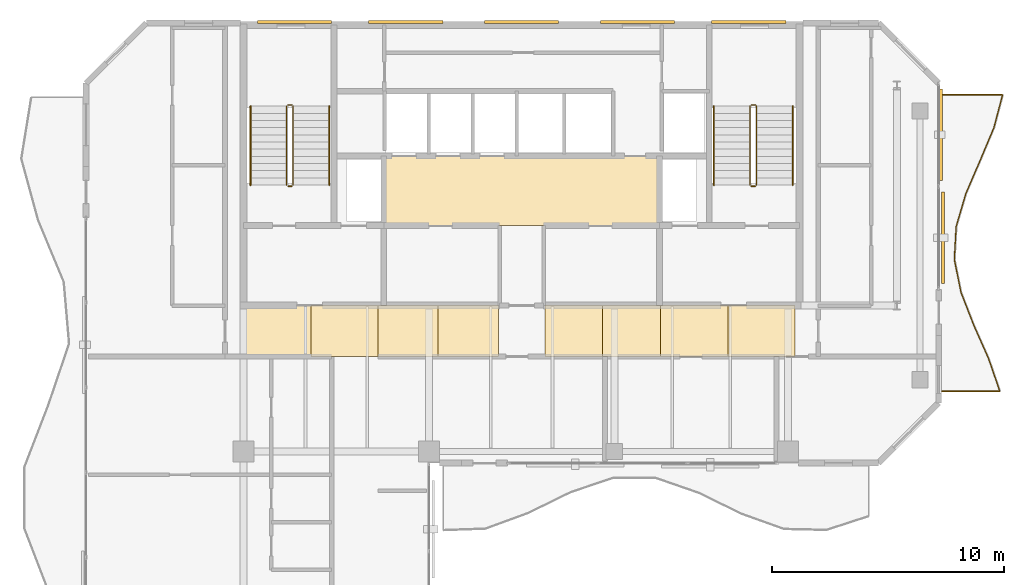
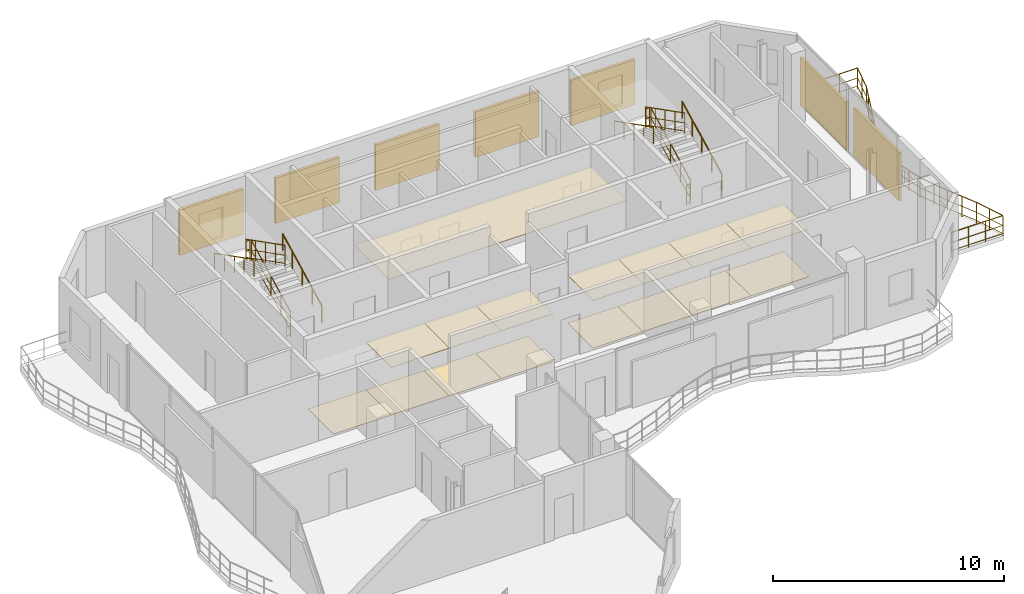
# One storey, part 17 of 17: 16 coverings, 13 railings, 7 shading devices.
"""IFC4 building model written with IfcOpenShell, lengths in metres."""

from ifc_helpers import new_model, si_unit, direction, frame, origin, origin_2d, place, context, subcontext, project, spatial, polyline, rectangle, circle, outline, extrude, material, layer, layer_set, type_object, element, save


model = new_model("IFC4")

# Units and contexts
model_context = context("Model", 3, precision=1e-05, world=origin(), true_north=direction((0.0, 1.0)))
body_context = subcontext(model_context, "Body", "Model", "MODEL_VIEW")
ifc_project = project(units=[si_unit("LENGTHUNIT", "METRE"), si_unit("AREAUNIT", "SQUARE_METRE"), si_unit("VOLUMEUNIT", "CUBIC_METRE"), si_unit("PLANEANGLEUNIT", "RADIAN"), si_unit("MASSUNIT", "GRAM", prefix="KILO")], contexts=[model_context])

# Site, building, storey
site_placement = place(None, origin())
site = spatial("IfcSite", under=ifc_project, at=site_placement, CompositionType="ELEMENT")
building_placement = place(site_placement, origin())
building = spatial("IfcBuilding", under=site, at=building_placement, Name="Catumbela Crestline Tower", CompositionType="ELEMENT")
storey_placement = place(building_placement, frame((0.0, 0.0, 283.0)))
storey = spatial("IfcBuildingStorey", under=building, at=storey_placement, Name="L73", CompositionType="ELEMENT", Elevation=283.0)

# Coverings
ifc_material_1 = material(Name="Mineral-fibre acoustic ceiling")
ifc_layer_1 = layer(ifc_material_1, 0.03, Name="Mineral-fibre acoustic ceiling")
ifc_layer_set_1 = layer_set([ifc_layer_1], Name="Mineral-fibre acoustic ceiling")
covering_type_1 = type_object("IfcCoveringType", Name="CC-AC", PredefinedType="CEILING", material=ifc_layer_set_1)
covering_1_placement = place(storey_placement, frame((0.0, 0.0, 2.65)))
element("IfcCovering", 1, at=covering_1_placement, inside=storey, type_object=covering_type_1, Name="L73 Lift Lobby Acoustic Ceiling", PredefinedType="CEILING", context=body_context, shape_type="SweptSolid", body=[
    extrude(outline(polyline([(22.05, 34.25), (33.95, 34.25), (33.95, 37.25), (22.05, 37.25), (22.05, 34.25)])), origin(), (0.0, 0.0, 1.0), 0.03),
])
covering_2_placement = place(storey_placement, frame((0.0, 0.0, 2.52)))
element("IfcCovering", 2, at=covering_2_placement, inside=storey, type_object=covering_type_1, Name="L73 Corridor Acoustic Ceiling Bay 2", PredefinedType="CEILING", context=body_context, shape_type="SweptSolid", body=[
    extrude(outline(polyline([(18.9, 28.6), (21.8, 28.6), (21.8, 30.8), (18.9, 30.8), (18.9, 28.6)])), origin(), (0.0, 0.0, 1.0), 0.03),
])
covering_3_placement = place(storey_placement, frame((0.0, 0.0, 2.52)))
element("IfcCovering", 3, at=covering_3_placement, inside=storey, type_object=covering_type_1, Name="L73 Corridor Acoustic Ceiling Bay 3", PredefinedType="CEILING", context=body_context, shape_type="SweptSolid", body=[
    extrude(outline(polyline([(21.8, 28.6), (24.4, 28.6), (24.4, 30.8), (21.8, 30.8), (21.8, 28.6)])), origin(), (0.0, 0.0, 1.0), 0.03),
])
covering_4_placement = place(storey_placement, frame((0.0, 0.0, 2.52)))
element("IfcCovering", 4, at=covering_4_placement, inside=storey, type_object=covering_type_1, Name="L73 Corridor Acoustic Ceiling Bay 4", PredefinedType="CEILING", context=body_context, shape_type="SweptSolid", body=[
    extrude(outline(polyline([(24.4, 28.6), (27.0, 28.6), (27.0, 30.8), (24.4, 30.8), (24.4, 28.6)])), origin(), (0.0, 0.0, 1.0), 0.03),
])
covering_5_placement = place(storey_placement, frame((0.0, 0.0, 2.52)))
element("IfcCovering", 5, at=covering_5_placement, inside=storey, type_object=covering_type_1, Name="L73 Corridor Acoustic Ceiling Bay 5", PredefinedType="CEILING", context=body_context, shape_type="SweptSolid", body=[
    extrude(outline(polyline([(29.0, 28.6), (31.5, 28.6), (31.5, 30.8), (29.0, 30.8), (29.0, 28.6)])), origin(), (0.0, 0.0, 1.0), 0.03),
])
covering_6_placement = place(storey_placement, frame((0.0, 0.0, 2.52)))
element("IfcCovering", 6, at=covering_6_placement, inside=storey, type_object=covering_type_1, Name="L73 Corridor Acoustic Ceiling Bay 6", PredefinedType="CEILING", context=body_context, shape_type="SweptSolid", body=[
    extrude(outline(polyline([(31.5, 28.6), (34.0, 28.6), (34.0, 30.8), (31.5, 30.8), (31.5, 28.6)])), origin(), (0.0, 0.0, 1.0), 0.03),
])
covering_7_placement = place(storey_placement, frame((0.0, 0.0, 2.52)))
element("IfcCovering", 7, at=covering_7_placement, inside=storey, type_object=covering_type_1, Name="L73 Corridor Acoustic Ceiling Bay 7", PredefinedType="CEILING", context=body_context, shape_type="SweptSolid", body=[
    extrude(outline(polyline([(34.0, 28.6), (36.9, 28.6), (36.9, 30.8), (34.0, 30.8), (34.0, 28.6)])), origin(), (0.0, 0.0, 1.0), 0.03),
])
covering_8_placement = place(storey_placement, frame((0.0, 0.0, 2.52)))
element("IfcCovering", 8, at=covering_8_placement, inside=storey, type_object=covering_type_1, Name="L73 Corridor Acoustic Ceiling Bay 8", PredefinedType="CEILING", context=body_context, shape_type="SweptSolid", body=[
    extrude(outline(polyline([(36.9, 28.6), (39.8, 28.6), (39.8, 30.8), (36.9, 30.8), (36.9, 28.6)])), origin(), (0.0, 0.0, 1.0), 0.03),
])
ifc_material_2 = material(Name="Angolan grey-ochre granite", Category="masonry")
ifc_layer_2 = layer(ifc_material_2, 0.025, Name="Angolan grey-ochre granite")
ifc_layer_set_2 = layer_set([ifc_layer_2], Name="Angolan grey-ochre granite")
covering_type_2 = type_object("IfcCoveringType", Name="CF-GR", PredefinedType="FLOORING", material=ifc_layer_set_2)
covering_9_placement = place(storey_placement, origin())
element("IfcCovering", 9, at=covering_9_placement, inside=storey, type_object=covering_type_2, Name="L73 Corridor Granite Flooring Bay 1", PredefinedType="FLOORING", context=body_context, shape_type="SweptSolid", body=[
    extrude(outline(polyline([(16.0, 28.6), (18.9, 28.6), (18.9, 30.8), (16.0, 30.8), (16.0, 28.6)])), origin(), (0.0, 0.0, 1.0), 0.025),
])
covering_10_placement = place(storey_placement, origin())
element("IfcCovering", 10, at=covering_10_placement, inside=storey, type_object=covering_type_2, Name="L73 Corridor Granite Flooring Bay 2", PredefinedType="FLOORING", context=body_context, shape_type="SweptSolid", body=[
    extrude(outline(polyline([(18.9, 28.6), (21.8, 28.6), (21.8, 30.8), (18.9, 30.8), (18.9, 28.6)])), origin(), (0.0, 0.0, 1.0), 0.025),
])
covering_11_placement = place(storey_placement, origin())
element("IfcCovering", 11, at=covering_11_placement, inside=storey, type_object=covering_type_2, Name="L73 Corridor Granite Flooring Bay 3", PredefinedType="FLOORING", context=body_context, shape_type="SweptSolid", body=[
    extrude(outline(polyline([(21.8, 28.6), (24.4, 28.6), (24.4, 30.8), (21.8, 30.8), (21.8, 28.6)])), origin(), (0.0, 0.0, 1.0), 0.025),
])
covering_12_placement = place(storey_placement, origin())
element("IfcCovering", 12, at=covering_12_placement, inside=storey, type_object=covering_type_2, Name="L73 Corridor Granite Flooring Bay 4", PredefinedType="FLOORING", context=body_context, shape_type="SweptSolid", body=[
    extrude(outline(polyline([(24.4, 28.6), (27.0, 28.6), (27.0, 30.8), (24.4, 30.8), (24.4, 28.6)])), origin(), (0.0, 0.0, 1.0), 0.025),
])
covering_13_placement = place(storey_placement, origin())
element("IfcCovering", 13, at=covering_13_placement, inside=storey, type_object=covering_type_2, Name="L73 Corridor Granite Flooring Bay 5", PredefinedType="FLOORING", context=body_context, shape_type="SweptSolid", body=[
    extrude(outline(polyline([(29.0, 28.6), (31.5, 28.6), (31.5, 30.8), (29.0, 30.8), (29.0, 28.6)])), origin(), (0.0, 0.0, 1.0), 0.025),
])
covering_14_placement = place(storey_placement, origin())
element("IfcCovering", 14, at=covering_14_placement, inside=storey, type_object=covering_type_2, Name="L73 Corridor Granite Flooring Bay 6", PredefinedType="FLOORING", context=body_context, shape_type="SweptSolid", body=[
    extrude(outline(polyline([(31.5, 28.6), (34.0, 28.6), (34.0, 30.8), (31.5, 30.8), (31.5, 28.6)])), origin(), (0.0, 0.0, 1.0), 0.025),
])
covering_15_placement = place(storey_placement, origin())
element("IfcCovering", 15, at=covering_15_placement, inside=storey, type_object=covering_type_2, Name="L73 Corridor Granite Flooring Bay 7", PredefinedType="FLOORING", context=body_context, shape_type="SweptSolid", body=[
    extrude(outline(polyline([(34.0, 28.6), (36.9, 28.6), (36.9, 30.8), (34.0, 30.8), (34.0, 28.6)])), origin(), (0.0, 0.0, 1.0), 0.025),
])
covering_16_placement = place(storey_placement, origin())
element("IfcCovering", 16, at=covering_16_placement, inside=storey, type_object=covering_type_2, Name="L73 Corridor Granite Flooring Bay 8", PredefinedType="FLOORING", context=body_context, shape_type="SweptSolid", body=[
    extrude(outline(polyline([(36.9, 28.6), (39.8, 28.6), (39.8, 30.8), (36.9, 30.8), (36.9, 28.6)])), origin(), (0.0, 0.0, 1.0), 0.025),
])

# Railings
ifc_material_3 = material(Name="Stainless steel EN 1.4401", Category="steel")
railing_type_1 = type_object("IfcRailingType", Name="RB-1100", PredefinedType="BALUSTRADE", material=ifc_material_3)
railing_1_placement = place(storey_placement, frame((46.06, 27.1, 0.0)))
element("IfcRailing", 17, at=railing_1_placement, inside=storey, type_object=railing_type_1, Name="L73 Private Wave Balcony Balustrade 2", PredefinedType="BALUSTRADE", context=body_context, shape_type="SweptSolid", body=[
    extrude(circle(Radius=0.024, at=origin_2d()), frame((0.0, 0.0, 1.076), z_axis=(1.0, 0.0, 0.0), x_axis=(0.0, 1.0, 0.0)), (0.0, 0.0, 1.0), 2.5799),
    extrude(circle(Radius=0.0156, at=origin_2d()), frame((0.0, 0.0, 0.55), z_axis=(1.0, 0.0, 0.0), x_axis=(0.0, 1.0, 0.0)), (0.0, 0.0, 1.0), 2.5799),
    extrude(circle(Radius=0.0156, at=origin_2d()), frame((0.0, 0.0, 0.12), z_axis=(1.0, 0.0, 0.0), x_axis=(0.0, 1.0, 0.0)), (0.0, 0.0, 1.0), 2.5799),
    extrude(circle(Radius=0.024, at=origin_2d()), frame((2.5799, 0.0, 1.076), z_axis=(-0.325804244404, 0.945437250339, 0.0), x_axis=(-0.945437250339, -0.325804244404, 0.0)), (0.0, 0.0, 1.0), 1.5043),
    extrude(circle(Radius=0.0156, at=origin_2d()), frame((2.5799, 0.0, 0.55), z_axis=(-0.325804244404, 0.945437250339, 0.0), x_axis=(-0.945437250339, -0.325804244404, 0.0)), (0.0, 0.0, 1.0), 1.5043),
    extrude(circle(Radius=0.0156, at=origin_2d()), frame((2.5799, 0.0, 0.12), z_axis=(-0.325804244404, 0.945437250339, 0.0), x_axis=(-0.945437250339, -0.325804244404, 0.0)), (0.0, 0.0, 1.0), 1.5043),
    extrude(circle(Radius=0.024, at=origin_2d()), frame((2.0898, 1.4222, 1.076), z_axis=(-0.405715057944, 0.913999612559, 0.0), x_axis=(-0.913999612559, -0.405715057944, 0.0)), (0.0, 0.0, 1.0), 1.556),
    extrude(circle(Radius=0.0156, at=origin_2d()), frame((2.0898, 1.4222, 0.55), z_axis=(-0.405715057944, 0.913999612559, 0.0), x_axis=(-0.913999612559, -0.405715057944, 0.0)), (0.0, 0.0, 1.0), 1.556),
    extrude(circle(Radius=0.0156, at=origin_2d()), frame((2.0898, 1.4222, 0.12), z_axis=(-0.405715057944, 0.913999612559, 0.0), x_axis=(-0.913999612559, -0.405715057944, 0.0)), (0.0, 0.0, 1.0), 1.556),
    extrude(circle(Radius=0.024, at=origin_2d()), frame((1.4585, 2.8444, 1.076), z_axis=(-0.363460685069, 0.931609537526, 0.0), x_axis=(-0.931609537526, -0.363460685069, 0.0)), (0.0, 0.0, 1.0), 1.5267),
    extrude(circle(Radius=0.0156, at=origin_2d()), frame((1.4585, 2.8444, 0.55), z_axis=(-0.363460685069, 0.931609537526, 0.0), x_axis=(-0.931609537526, -0.363460685069, 0.0)), (0.0, 0.0, 1.0), 1.5267),
    extrude(circle(Radius=0.0156, at=origin_2d()), frame((1.4585, 2.8444, 0.12), z_axis=(-0.363460685069, 0.931609537526, 0.0), x_axis=(-0.931609537526, -0.363460685069, 0.0)), (0.0, 0.0, 1.0), 1.5267),
    extrude(circle(Radius=0.024, at=origin_2d()), frame((0.9036, 4.2667, 1.076), z_axis=(-0.1981435393, 0.980173014235, 0.0), x_axis=(-0.980173014235, -0.1981435393, 0.0)), (0.0, 0.0, 1.0), 1.451),
    extrude(circle(Radius=0.0156, at=origin_2d()), frame((0.9036, 4.2667, 0.55), z_axis=(-0.1981435393, 0.980173014235, 0.0), x_axis=(-0.980173014235, -0.1981435393, 0.0)), (0.0, 0.0, 1.0), 1.451),
    extrude(circle(Radius=0.0156, at=origin_2d()), frame((0.9036, 4.2667, 0.12), z_axis=(-0.1981435393, 0.980173014235, 0.0), x_axis=(-0.980173014235, -0.1981435393, 0.0)), (0.0, 0.0, 1.0), 1.451),
    extrude(circle(Radius=0.024, at=origin_2d()), frame((0.6161, 5.6889, 1.076), z_axis=(0.055532232032, 0.998456895016, 0.0), x_axis=(-0.998456895016, 0.055532232032, 0.0)), (0.0, 0.0, 1.0), 1.4244),
    extrude(circle(Radius=0.0156, at=origin_2d()), frame((0.6161, 5.6889, 0.55), z_axis=(0.055532232032, 0.998456895016, 0.0), x_axis=(-0.998456895016, 0.055532232032, 0.0)), (0.0, 0.0, 1.0), 1.4244),
    extrude(circle(Radius=0.0156, at=origin_2d()), frame((0.6161, 5.6889, 0.12), z_axis=(0.055532232032, 0.998456895016, 0.0), x_axis=(-0.998456895016, 0.055532232032, 0.0)), (0.0, 0.0, 1.0), 1.4244),
    extrude(circle(Radius=0.024, at=origin_2d()), frame((0.6952, 7.1111, 1.076), z_axis=(0.28223205981, 0.95934616506, 0.0), x_axis=(-0.95934616506, 0.28223205981, 0.0)), (0.0, 0.0, 1.0), 1.4825),
    extrude(circle(Radius=0.0156, at=origin_2d()), frame((0.6952, 7.1111, 0.55), z_axis=(0.28223205981, 0.95934616506, 0.0), x_axis=(-0.95934616506, 0.28223205981, 0.0)), (0.0, 0.0, 1.0), 1.4825),
    extrude(circle(Radius=0.0156, at=origin_2d()), frame((0.6952, 7.1111, 0.12), z_axis=(0.28223205981, 0.95934616506, 0.0), x_axis=(-0.95934616506, 0.28223205981, 0.0)), (0.0, 0.0, 1.0), 1.4825),
    extrude(circle(Radius=0.024, at=origin_2d()), frame((1.1136, 8.5333, 1.076), z_axis=(0.396068698819, 0.918220880734, 0.0), x_axis=(-0.918220880734, 0.396068698819, 0.0)), (0.0, 0.0, 1.0), 1.549),
    extrude(circle(Radius=0.0156, at=origin_2d()), frame((1.1136, 8.5333, 0.55), z_axis=(0.396068698819, 0.918220880734, 0.0), x_axis=(-0.918220880734, 0.396068698819, 0.0)), (0.0, 0.0, 1.0), 1.549),
    extrude(circle(Radius=0.0156, at=origin_2d()), frame((1.1136, 8.5333, 0.12), z_axis=(0.396068698819, 0.918220880734, 0.0), x_axis=(-0.918220880734, 0.396068698819, 0.0)), (0.0, 0.0, 1.0), 1.549),
    extrude(circle(Radius=0.024, at=origin_2d()), frame((1.7271, 9.9556, 1.076), z_axis=(0.387219258555, 0.921987660332, 0.0), x_axis=(-0.921987660332, 0.387219258555, 0.0)), (0.0, 0.0, 1.0), 1.5425),
    extrude(circle(Radius=0.0156, at=origin_2d()), frame((1.7271, 9.9556, 0.55), z_axis=(0.387219258555, 0.921987660332, 0.0), x_axis=(-0.921987660332, 0.387219258555, 0.0)), (0.0, 0.0, 1.0), 1.5425),
    extrude(circle(Radius=0.0156, at=origin_2d()), frame((1.7271, 9.9556, 0.12), z_axis=(0.387219258555, 0.921987660332, 0.0), x_axis=(-0.921987660332, 0.387219258555, 0.0)), (0.0, 0.0, 1.0), 1.5425),
    extrude(circle(Radius=0.024, at=origin_2d()), frame((2.3244, 11.3778, 1.076), z_axis=(0.255152495672, 0.966900824259, 0.0), x_axis=(-0.966900824259, 0.255152495672, 0.0)), (0.0, 0.0, 1.0), 1.4709),
    extrude(circle(Radius=0.0156, at=origin_2d()), frame((2.3244, 11.3778, 0.55), z_axis=(0.255152495672, 0.966900824259, 0.0), x_axis=(-0.966900824259, 0.255152495672, 0.0)), (0.0, 0.0, 1.0), 1.4709),
    extrude(circle(Radius=0.0156, at=origin_2d()), frame((2.3244, 11.3778, 0.12), z_axis=(0.255152495672, 0.966900824259, 0.0), x_axis=(-0.966900824259, 0.255152495672, 0.0)), (0.0, 0.0, 1.0), 1.4709),
    extrude(circle(Radius=0.024, at=origin_2d()), frame((2.6997, 12.8, 1.076), z_axis=(-1.0, 0.0, 0.0), x_axis=(0.0, -1.0, 0.0)), (0.0, 0.0, 1.0), 2.6997),
    extrude(circle(Radius=0.0156, at=origin_2d()), frame((2.6997, 12.8, 0.55), z_axis=(-1.0, 0.0, 0.0), x_axis=(0.0, -1.0, 0.0)), (0.0, 0.0, 1.0), 2.6997),
    extrude(circle(Radius=0.0156, at=origin_2d()), frame((2.6997, 12.8, 0.12), z_axis=(-1.0, 0.0, 0.0), x_axis=(0.0, -1.0, 0.0)), (0.0, 0.0, 1.0), 2.6997),
    extrude(circle(Radius=0.021, at=origin_2d()), origin(), (0.0, 0.0, 1.0), 1.052),
    extrude(circle(Radius=0.021, at=origin_2d()), frame((0.86, 0.0, 0.0)), (0.0, 0.0, 1.0), 1.052),
    extrude(circle(Radius=0.021, at=origin_2d()), frame((1.7199, 0.0, 0.0)), (0.0, 0.0, 1.0), 1.052),
    extrude(circle(Radius=0.021, at=origin_2d()), frame((2.5799, 0.0, 0.0)), (0.0, 0.0, 1.0), 1.052),
    extrude(circle(Radius=0.021, at=origin_2d()), frame((2.3348, 0.7111, 0.0)), (0.0, 0.0, 1.0), 1.052),
    extrude(circle(Radius=0.021, at=origin_2d()), frame((2.0898, 1.4222, 0.0)), (0.0, 0.0, 1.0), 1.052),
    extrude(circle(Radius=0.021, at=origin_2d()), frame((1.7741, 2.1333, 0.0)), (0.0, 0.0, 1.0), 1.052),
    extrude(circle(Radius=0.021, at=origin_2d()), frame((1.4585, 2.8444, 0.0)), (0.0, 0.0, 1.0), 1.052),
    extrude(circle(Radius=0.021, at=origin_2d()), frame((1.181, 3.5556, 0.0)), (0.0, 0.0, 1.0), 1.052),
    extrude(circle(Radius=0.021, at=origin_2d()), frame((0.9036, 4.2667, 0.0)), (0.0, 0.0, 1.0), 1.052),
    extrude(circle(Radius=0.021, at=origin_2d()), frame((0.7598, 4.9778, 0.0)), (0.0, 0.0, 1.0), 1.052),
    extrude(circle(Radius=0.021, at=origin_2d()), frame((0.6161, 5.6889, 0.0)), (0.0, 0.0, 1.0), 1.052),
    extrude(circle(Radius=0.021, at=origin_2d()), frame((0.6556, 6.4, 0.0)), (0.0, 0.0, 1.0), 1.052),
    extrude(circle(Radius=0.021, at=origin_2d()), frame((0.6952, 7.1111, 0.0)), (0.0, 0.0, 1.0), 1.052),
    extrude(circle(Radius=0.021, at=origin_2d()), frame((0.9044, 7.8222, 0.0)), (0.0, 0.0, 1.0), 1.052),
    extrude(circle(Radius=0.021, at=origin_2d()), frame((1.1136, 8.5333, 0.0)), (0.0, 0.0, 1.0), 1.052),
    extrude(circle(Radius=0.021, at=origin_2d()), frame((1.4203, 9.2444, 0.0)), (0.0, 0.0, 1.0), 1.052),
    extrude(circle(Radius=0.021, at=origin_2d()), frame((1.7271, 9.9556, 0.0)), (0.0, 0.0, 1.0), 1.052),
    extrude(circle(Radius=0.021, at=origin_2d()), frame((2.0257, 10.6667, 0.0)), (0.0, 0.0, 1.0), 1.052),
    extrude(circle(Radius=0.021, at=origin_2d()), frame((2.3244, 11.3778, 0.0)), (0.0, 0.0, 1.0), 1.052),
    extrude(circle(Radius=0.021, at=origin_2d()), frame((2.512, 12.0889, 0.0)), (0.0, 0.0, 1.0), 1.052),
    extrude(circle(Radius=0.021, at=origin_2d()), frame((2.6997, 12.8, 0.0)), (0.0, 0.0, 1.0), 1.052),
    extrude(circle(Radius=0.021, at=origin_2d()), frame((1.7998, 12.8, 0.0)), (0.0, 0.0, 1.0), 1.052),
    extrude(circle(Radius=0.021, at=origin_2d()), frame((0.8999, 12.8, 0.0)), (0.0, 0.0, 1.0), 1.052),
    extrude(circle(Radius=0.021, at=origin_2d()), frame((0.0, 12.8, 0.0)), (0.0, 0.0, 1.0), 1.052),
])
railing_type_2 = type_object("IfcRailingType", Name="RG-1100", PredefinedType="GUARDRAIL", material=ifc_material_3)
railing_2_placement = place(storey_placement, frame((18.14, 36.0, 0.1583)))
element("IfcRailing", 18, at=railing_2_placement, inside=storey, type_object=railing_type_2, Name="L73 ST-01 stair guard 1", PredefinedType="GUARDRAIL", context=body_context, shape_type="SweptSolid", body=[
    extrude(circle(Radius=0.024, at=origin_2d()), frame((0.0, 0.0, 1.076), z_axis=(0.0, 0.890560473983, 0.454864861447), x_axis=(-1.0, 0.0, 0.0)), (0.0, 0.0, 1.0), 3.829),
    extrude(circle(Radius=0.0156, at=origin_2d()), frame((0.0, 0.0, 0.55), z_axis=(0.0, 0.890560473983, 0.454864861447), x_axis=(-1.0, 0.0, 0.0)), (0.0, 0.0, 1.0), 3.829),
    extrude(circle(Radius=0.0156, at=origin_2d()), frame((0.0, 0.0, 0.12), z_axis=(0.0, 0.890560473983, 0.454864861447), x_axis=(-1.0, 0.0, 0.0)), (0.0, 0.0, 1.0), 3.829),
    extrude(circle(Radius=0.021, at=origin_2d()), origin(), (0.0, 0.0, 1.0), 1.052),
    extrude(circle(Radius=0.021, at=origin_2d()), frame((0.0, 0.8525, 0.4354)), (0.0, 0.0, 1.0), 1.052),
    extrude(circle(Radius=0.021, at=origin_2d()), frame((0.0, 1.705, 0.8708)), (0.0, 0.0, 1.0), 1.052),
    extrude(circle(Radius=0.021, at=origin_2d()), frame((0.0, 2.5575, 1.3063)), (0.0, 0.0, 1.0), 1.052),
    extrude(circle(Radius=0.021, at=origin_2d()), frame((0.0, 3.41, 1.7417)), (0.0, 0.0, 1.0), 1.052),
])
railing_3_placement = place(storey_placement, frame((18.09, 39.46, 1.9)))
element("IfcRailing", 19, at=railing_3_placement, inside=storey, type_object=railing_type_2, Name="L73 ST-01 stair guard 2", PredefinedType="GUARDRAIL", context=body_context, shape_type="SweptSolid", body=[
    extrude(circle(Radius=0.024, at=origin_2d()), frame((0.0, 0.0, 1.076), z_axis=(-1.0, 0.0, 0.0), x_axis=(0.0, -1.0, 0.0)), (0.0, 0.0, 1.0), 0.18),
    extrude(circle(Radius=0.0156, at=origin_2d()), frame((0.0, 0.0, 0.55), z_axis=(-1.0, 0.0, 0.0), x_axis=(0.0, -1.0, 0.0)), (0.0, 0.0, 1.0), 0.18),
    extrude(circle(Radius=0.0156, at=origin_2d()), frame((0.0, 0.0, 0.12), z_axis=(-1.0, 0.0, 0.0), x_axis=(0.0, -1.0, 0.0)), (0.0, 0.0, 1.0), 0.18),
    extrude(circle(Radius=0.021, at=origin_2d()), origin(), (0.0, 0.0, 1.0), 1.052),
    extrude(circle(Radius=0.021, at=origin_2d()), frame((-0.18, 0.0, 0.0)), (0.0, 0.0, 1.0), 1.052),
])
railing_4_placement = place(storey_placement, frame((17.86, 39.41, 2.0583)))
element("IfcRailing", 20, at=railing_4_placement, inside=storey, type_object=railing_type_2, Name="L73 ST-01 stair guard 3", PredefinedType="GUARDRAIL", context=body_context, shape_type="SweptSolid", body=[
    extrude(circle(Radius=0.024, at=origin_2d()), frame((0.0, 0.0, 1.076), z_axis=(0.0, -0.890560473983, 0.454864861447), x_axis=(1.0, 0.0, 0.0)), (0.0, 0.0, 1.0), 3.829),
    extrude(circle(Radius=0.0156, at=origin_2d()), frame((0.0, 0.0, 0.55), z_axis=(0.0, -0.890560473983, 0.454864861447), x_axis=(1.0, 0.0, 0.0)), (0.0, 0.0, 1.0), 3.829),
    extrude(circle(Radius=0.0156, at=origin_2d()), frame((0.0, 0.0, 0.12), z_axis=(0.0, -0.890560473983, 0.454864861447), x_axis=(1.0, 0.0, 0.0)), (0.0, 0.0, 1.0), 3.829),
    extrude(circle(Radius=0.021, at=origin_2d()), origin(), (0.0, 0.0, 1.0), 1.052),
    extrude(circle(Radius=0.021, at=origin_2d()), frame((0.0, -0.8525, 0.4354)), (0.0, 0.0, 1.0), 1.052),
    extrude(circle(Radius=0.021, at=origin_2d()), frame((0.0, -1.705, 0.8709)), (0.0, 0.0, 1.0), 1.052),
    extrude(circle(Radius=0.021, at=origin_2d()), frame((0.0, -2.5575, 1.3063)), (0.0, 0.0, 1.0), 1.052),
    extrude(circle(Radius=0.021, at=origin_2d()), frame((0.0, -3.41, 1.7417)), (0.0, 0.0, 1.0), 1.052),
])
railing_5_placement = place(storey_placement, frame((18.09, 35.95, 0.0)))
element("IfcRailing", 21, at=railing_5_placement, inside=storey, type_object=railing_type_2, Name="L73 ST-01 stair guard 4", PredefinedType="GUARDRAIL", context=body_context, shape_type="SweptSolid", body=[
    extrude(circle(Radius=0.024, at=origin_2d()), frame((0.0, 0.0, 1.076), z_axis=(-1.0, 0.0, 0.0), x_axis=(0.0, -1.0, 0.0)), (0.0, 0.0, 1.0), 0.18),
    extrude(circle(Radius=0.0156, at=origin_2d()), frame((0.0, 0.0, 0.55), z_axis=(-1.0, 0.0, 0.0), x_axis=(0.0, -1.0, 0.0)), (0.0, 0.0, 1.0), 0.18),
    extrude(circle(Radius=0.0156, at=origin_2d()), frame((0.0, 0.0, 0.12), z_axis=(-1.0, 0.0, 0.0), x_axis=(0.0, -1.0, 0.0)), (0.0, 0.0, 1.0), 0.18),
    extrude(circle(Radius=0.021, at=origin_2d()), origin(), (0.0, 0.0, 1.0), 1.052),
    extrude(circle(Radius=0.021, at=origin_2d()), frame((-0.18, 0.0, 0.0)), (0.0, 0.0, 1.0), 1.052),
])
railing_6_placement = place(storey_placement, frame((38.14, 36.0, 0.1583)))
element("IfcRailing", 22, at=railing_6_placement, inside=storey, type_object=railing_type_2, Name="L73 ST-02 stair guard 1", PredefinedType="GUARDRAIL", context=body_context, shape_type="SweptSolid", body=[
    extrude(circle(Radius=0.024, at=origin_2d()), frame((0.0, 0.0, 1.076), z_axis=(0.0, 0.890560473983, 0.454864861447), x_axis=(-1.0, 0.0, 0.0)), (0.0, 0.0, 1.0), 3.829),
    extrude(circle(Radius=0.0156, at=origin_2d()), frame((0.0, 0.0, 0.55), z_axis=(0.0, 0.890560473983, 0.454864861447), x_axis=(-1.0, 0.0, 0.0)), (0.0, 0.0, 1.0), 3.829),
    extrude(circle(Radius=0.0156, at=origin_2d()), frame((0.0, 0.0, 0.12), z_axis=(0.0, 0.890560473983, 0.454864861447), x_axis=(-1.0, 0.0, 0.0)), (0.0, 0.0, 1.0), 3.829),
    extrude(circle(Radius=0.021, at=origin_2d()), origin(), (0.0, 0.0, 1.0), 1.052),
    extrude(circle(Radius=0.021, at=origin_2d()), frame((0.0, 0.8525, 0.4354)), (0.0, 0.0, 1.0), 1.052),
    extrude(circle(Radius=0.021, at=origin_2d()), frame((0.0, 1.705, 0.8708)), (0.0, 0.0, 1.0), 1.052),
    extrude(circle(Radius=0.021, at=origin_2d()), frame((0.0, 2.5575, 1.3063)), (0.0, 0.0, 1.0), 1.052),
    extrude(circle(Radius=0.021, at=origin_2d()), frame((0.0, 3.41, 1.7417)), (0.0, 0.0, 1.0), 1.052),
])
railing_7_placement = place(storey_placement, frame((38.09, 39.46, 1.9)))
element("IfcRailing", 23, at=railing_7_placement, inside=storey, type_object=railing_type_2, Name="L73 ST-02 stair guard 2", PredefinedType="GUARDRAIL", context=body_context, shape_type="SweptSolid", body=[
    extrude(circle(Radius=0.024, at=origin_2d()), frame((0.0, 0.0, 1.076), z_axis=(-1.0, 0.0, 0.0), x_axis=(0.0, -1.0, 0.0)), (0.0, 0.0, 1.0), 0.18),
    extrude(circle(Radius=0.0156, at=origin_2d()), frame((0.0, 0.0, 0.55), z_axis=(-1.0, 0.0, 0.0), x_axis=(0.0, -1.0, 0.0)), (0.0, 0.0, 1.0), 0.18),
    extrude(circle(Radius=0.0156, at=origin_2d()), frame((0.0, 0.0, 0.12), z_axis=(-1.0, 0.0, 0.0), x_axis=(0.0, -1.0, 0.0)), (0.0, 0.0, 1.0), 0.18),
    extrude(circle(Radius=0.021, at=origin_2d()), origin(), (0.0, 0.0, 1.0), 1.052),
    extrude(circle(Radius=0.021, at=origin_2d()), frame((-0.18, 0.0, 0.0)), (0.0, 0.0, 1.0), 1.052),
])
railing_8_placement = place(storey_placement, frame((37.86, 39.41, 2.0583)))
element("IfcRailing", 24, at=railing_8_placement, inside=storey, type_object=railing_type_2, Name="L73 ST-02 stair guard 3", PredefinedType="GUARDRAIL", context=body_context, shape_type="SweptSolid", body=[
    extrude(circle(Radius=0.024, at=origin_2d()), frame((0.0, 0.0, 1.076), z_axis=(0.0, -0.890560473983, 0.454864861447), x_axis=(1.0, 0.0, 0.0)), (0.0, 0.0, 1.0), 3.829),
    extrude(circle(Radius=0.0156, at=origin_2d()), frame((0.0, 0.0, 0.55), z_axis=(0.0, -0.890560473983, 0.454864861447), x_axis=(1.0, 0.0, 0.0)), (0.0, 0.0, 1.0), 3.829),
    extrude(circle(Radius=0.0156, at=origin_2d()), frame((0.0, 0.0, 0.12), z_axis=(0.0, -0.890560473983, 0.454864861447), x_axis=(1.0, 0.0, 0.0)), (0.0, 0.0, 1.0), 3.829),
    extrude(circle(Radius=0.021, at=origin_2d()), origin(), (0.0, 0.0, 1.0), 1.052),
    extrude(circle(Radius=0.021, at=origin_2d()), frame((0.0, -0.8525, 0.4354)), (0.0, 0.0, 1.0), 1.052),
    extrude(circle(Radius=0.021, at=origin_2d()), frame((0.0, -1.705, 0.8709)), (0.0, 0.0, 1.0), 1.052),
    extrude(circle(Radius=0.021, at=origin_2d()), frame((0.0, -2.5575, 1.3063)), (0.0, 0.0, 1.0), 1.052),
    extrude(circle(Radius=0.021, at=origin_2d()), frame((0.0, -3.41, 1.7417)), (0.0, 0.0, 1.0), 1.052),
])
railing_9_placement = place(storey_placement, frame((38.09, 35.95, 0.0)))
element("IfcRailing", 25, at=railing_9_placement, inside=storey, type_object=railing_type_2, Name="L73 ST-02 stair guard 4", PredefinedType="GUARDRAIL", context=body_context, shape_type="SweptSolid", body=[
    extrude(circle(Radius=0.024, at=origin_2d()), frame((0.0, 0.0, 1.076), z_axis=(-1.0, 0.0, 0.0), x_axis=(0.0, -1.0, 0.0)), (0.0, 0.0, 1.0), 0.18),
    extrude(circle(Radius=0.0156, at=origin_2d()), frame((0.0, 0.0, 0.55), z_axis=(-1.0, 0.0, 0.0), x_axis=(0.0, -1.0, 0.0)), (0.0, 0.0, 1.0), 0.18),
    extrude(circle(Radius=0.0156, at=origin_2d()), frame((0.0, 0.0, 0.12), z_axis=(-1.0, 0.0, 0.0), x_axis=(0.0, -1.0, 0.0)), (0.0, 0.0, 1.0), 0.18),
    extrude(circle(Radius=0.021, at=origin_2d()), origin(), (0.0, 0.0, 1.0), 1.052),
    extrude(circle(Radius=0.021, at=origin_2d()), frame((-0.18, 0.0, 0.0)), (0.0, 0.0, 1.0), 1.052),
])
railing_type_3 = type_object("IfcRailingType", Name="RH-0900", PredefinedType="HANDRAIL", material=ifc_material_3)
railing_10_placement = place(storey_placement, frame((19.7, 36.0, 0.1583)))
element("IfcRailing", 26, at=railing_10_placement, inside=storey, type_object=railing_type_3, Name="L73 ST-01 stair handrail 1", PredefinedType="HANDRAIL", context=body_context, shape_type="SweptSolid", body=[
    extrude(circle(Radius=0.024, at=origin_2d()), frame((0.0, 0.0, 0.876), z_axis=(0.0, 0.890560473983, 0.454864861447), x_axis=(-1.0, 0.0, 0.0)), (0.0, 0.0, 1.0), 3.829),
    extrude(circle(Radius=0.021, at=origin_2d()), origin(), (0.0, 0.0, 1.0), 0.852),
    extrude(circle(Radius=0.021, at=origin_2d()), frame((0.0, 0.8525, 0.4354)), (0.0, 0.0, 1.0), 0.852),
    extrude(circle(Radius=0.021, at=origin_2d()), frame((0.0, 1.705, 0.8708)), (0.0, 0.0, 1.0), 0.852),
    extrude(circle(Radius=0.021, at=origin_2d()), frame((0.0, 2.5575, 1.3063)), (0.0, 0.0, 1.0), 0.852),
    extrude(circle(Radius=0.021, at=origin_2d()), frame((0.0, 3.41, 1.7417)), (0.0, 0.0, 1.0), 0.852),
])
railing_11_placement = place(storey_placement, frame((16.3, 39.41, 2.0583)))
element("IfcRailing", 27, at=railing_11_placement, inside=storey, type_object=railing_type_3, Name="L73 ST-01 stair handrail 2", PredefinedType="HANDRAIL", context=body_context, shape_type="SweptSolid", body=[
    extrude(circle(Radius=0.024, at=origin_2d()), frame((0.0, 0.0, 0.876), z_axis=(0.0, -0.890560473983, 0.454864861447), x_axis=(1.0, 0.0, 0.0)), (0.0, 0.0, 1.0), 3.829),
    extrude(circle(Radius=0.021, at=origin_2d()), origin(), (0.0, 0.0, 1.0), 0.852),
    extrude(circle(Radius=0.021, at=origin_2d()), frame((0.0, -0.8525, 0.4354)), (0.0, 0.0, 1.0), 0.852),
    extrude(circle(Radius=0.021, at=origin_2d()), frame((0.0, -1.705, 0.8709)), (0.0, 0.0, 1.0), 0.852),
    extrude(circle(Radius=0.021, at=origin_2d()), frame((0.0, -2.5575, 1.3063)), (0.0, 0.0, 1.0), 0.852),
    extrude(circle(Radius=0.021, at=origin_2d()), frame((0.0, -3.41, 1.7417)), (0.0, 0.0, 1.0), 0.852),
])
railing_12_placement = place(storey_placement, frame((39.7, 36.0, 0.1583)))
element("IfcRailing", 28, at=railing_12_placement, inside=storey, type_object=railing_type_3, Name="L73 ST-02 stair handrail 1", PredefinedType="HANDRAIL", context=body_context, shape_type="SweptSolid", body=[
    extrude(circle(Radius=0.024, at=origin_2d()), frame((0.0, 0.0, 0.876), z_axis=(0.0, 0.890560473983, 0.454864861447), x_axis=(-1.0, 0.0, 0.0)), (0.0, 0.0, 1.0), 3.829),
    extrude(circle(Radius=0.021, at=origin_2d()), origin(), (0.0, 0.0, 1.0), 0.852),
    extrude(circle(Radius=0.021, at=origin_2d()), frame((0.0, 0.8525, 0.4354)), (0.0, 0.0, 1.0), 0.852),
    extrude(circle(Radius=0.021, at=origin_2d()), frame((0.0, 1.705, 0.8708)), (0.0, 0.0, 1.0), 0.852),
    extrude(circle(Radius=0.021, at=origin_2d()), frame((0.0, 2.5575, 1.3063)), (0.0, 0.0, 1.0), 0.852),
    extrude(circle(Radius=0.021, at=origin_2d()), frame((0.0, 3.41, 1.7417)), (0.0, 0.0, 1.0), 0.852),
])
railing_13_placement = place(storey_placement, frame((36.3, 39.41, 2.0583)))
element("IfcRailing", 29, at=railing_13_placement, inside=storey, type_object=railing_type_3, Name="L73 ST-02 stair handrail 2", PredefinedType="HANDRAIL", context=body_context, shape_type="SweptSolid", body=[
    extrude(circle(Radius=0.024, at=origin_2d()), frame((0.0, 0.0, 0.876), z_axis=(0.0, -0.890560473983, 0.454864861447), x_axis=(1.0, 0.0, 0.0)), (0.0, 0.0, 1.0), 3.829),
    extrude(circle(Radius=0.021, at=origin_2d()), origin(), (0.0, 0.0, 1.0), 0.852),
    extrude(circle(Radius=0.021, at=origin_2d()), frame((0.0, -0.8525, 0.4354)), (0.0, 0.0, 1.0), 0.852),
    extrude(circle(Radius=0.021, at=origin_2d()), frame((0.0, -1.705, 0.8709)), (0.0, 0.0, 1.0), 0.852),
    extrude(circle(Radius=0.021, at=origin_2d()), frame((0.0, -2.5575, 1.3063)), (0.0, 0.0, 1.0), 0.852),
    extrude(circle(Radius=0.021, at=origin_2d()), frame((0.0, -3.41, 1.7417)), (0.0, 0.0, 1.0), 0.852),
])

# Shading devices
ifc_material_4 = material(Name="Extruded terracotta ceramic", Category="masonry")
shading_device_type_1 = type_object("IfcShadingDeviceType", Name="ST-180", PredefinedType="USERDEFINED", material=ifc_material_4)
for number, where, z_axis, x_axis, name in (
    (30, (28.0, 43.04, 0.55), (0.0, 0.0, 1.0), (1.0, 0.0, 0.0), "L73 Rear Core Terracotta Brise-Soleil Screen 898"),
    (31, (37.8, 43.04, 0.55), (0.0, 0.0, 1.0), (1.0, 0.0, 0.0), "L73 Rear Core Terracotta Brise-Soleil Screen 900"),
):
    element("IfcShadingDevice", number, at=place(storey_placement, frame(where, z_axis=z_axis, x_axis=x_axis)), inside=storey, type_object=shading_device_type_1, Name=name, ObjectType="SCREEN", PredefinedType="USERDEFINED", context=body_context, shape_type="SweptSolid", body=[
        extrude(rectangle(XDim=3.2, YDim=0.14, at=origin_2d()), origin(), (0.0, 0.0, 1.0), 2.4),
    ])
shading_device_1_placement = place(storey_placement, frame((46.099, 38.175, -0.1), z_axis=(0.0, 0.0, 1.0), x_axis=(0.0, 1.0, 0.0)))
element("IfcShadingDevice", 32, at=shading_device_1_placement, inside=storey, type_object=shading_device_type_1, Name="L73 Perforated Terracotta Solar Screen 907 (180 mm)", ObjectType="SCREEN", PredefinedType="USERDEFINED", context=body_context, shape_type="SweptSolid", body=[
    extrude(rectangle(XDim=3.96, YDim=0.12, at=origin_2d()), origin(), (0.0, 0.0, 1.0), 2.55),
])
shading_device_type_2 = type_object("IfcShadingDeviceType", Name="ST-260", PredefinedType="USERDEFINED", material=ifc_material_4)
shading_device_2_placement = place(storey_placement, frame((23.0, 43.04, 0.55), z_axis=(0.0, 0.0, 1.0), x_axis=(1.0, 0.0, 0.0)))
element("IfcShadingDevice", 33, at=shading_device_2_placement, inside=storey, type_object=shading_device_type_2, Name="L73 Rear Core Terracotta Brise-Soleil Screen 897", ObjectType="SCREEN", PredefinedType="USERDEFINED", context=body_context, shape_type="SweptSolid", body=[
    extrude(rectangle(XDim=3.2, YDim=0.14, at=origin_2d()), origin(), (0.0, 0.0, 1.0), 2.4),
])
shading_device_type_3 = type_object("IfcShadingDeviceType", Name="ST-340", PredefinedType="USERDEFINED", material=ifc_material_4)
for number, where, z_axis, x_axis, name in (
    (34, (18.2, 43.04, 0.55), (0.0, 0.0, 1.0), (1.0, 0.0, 0.0), "L73 Rear Core Terracotta Brise-Soleil Screen 896"),
    (35, (33.0, 43.04, 0.55), (0.0, 0.0, 1.0), (1.0, 0.0, 0.0), "L73 Rear Core Terracotta Brise-Soleil Screen 899"),
):
    element("IfcShadingDevice", number, at=place(storey_placement, frame(where, z_axis=z_axis, x_axis=x_axis)), inside=storey, type_object=shading_device_type_3, Name=name, ObjectType="SCREEN", PredefinedType="USERDEFINED", context=body_context, shape_type="SweptSolid", body=[
        extrude(rectangle(XDim=3.2, YDim=0.14, at=origin_2d()), origin(), (0.0, 0.0, 1.0), 2.4),
    ])
shading_device_3_placement = place(storey_placement, frame((46.187, 33.725, -0.1), z_axis=(0.0, 0.0, 1.0), x_axis=(0.0, 1.0, 0.0)))
element("IfcShadingDevice", 36, at=shading_device_3_placement, inside=storey, type_object=shading_device_type_3, Name="L73 Perforated Terracotta Solar Screen 906 (340 mm)", ObjectType="SCREEN", PredefinedType="USERDEFINED", context=body_context, shape_type="SweptSolid", body=[
    extrude(rectangle(XDim=3.96, YDim=0.12, at=origin_2d()), origin(), (0.0, 0.0, 1.0), 2.55),
])

save(model, "model.ifc")
